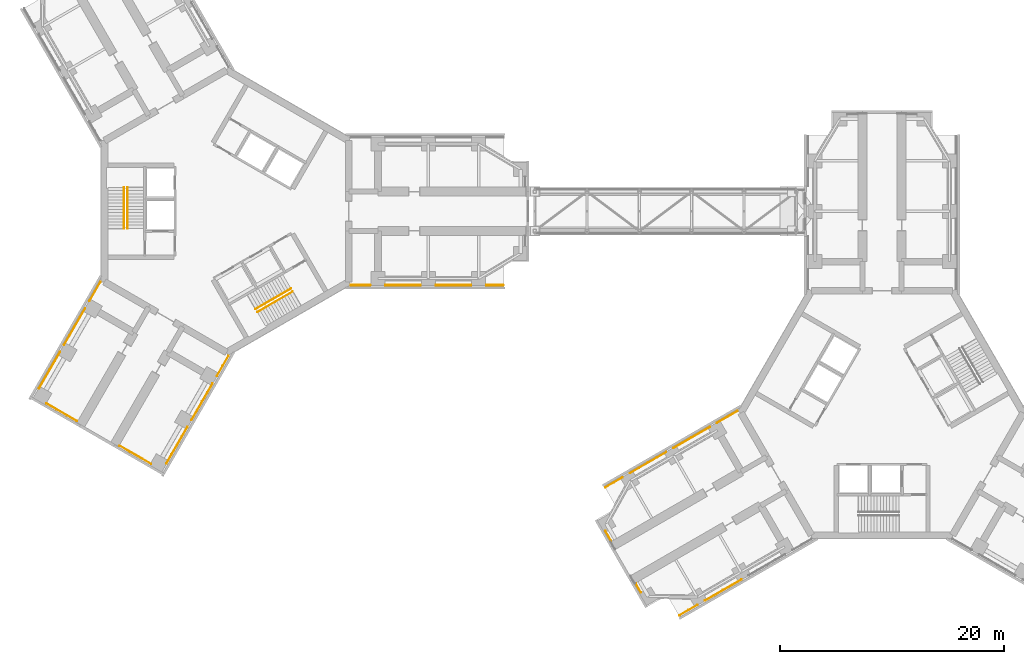
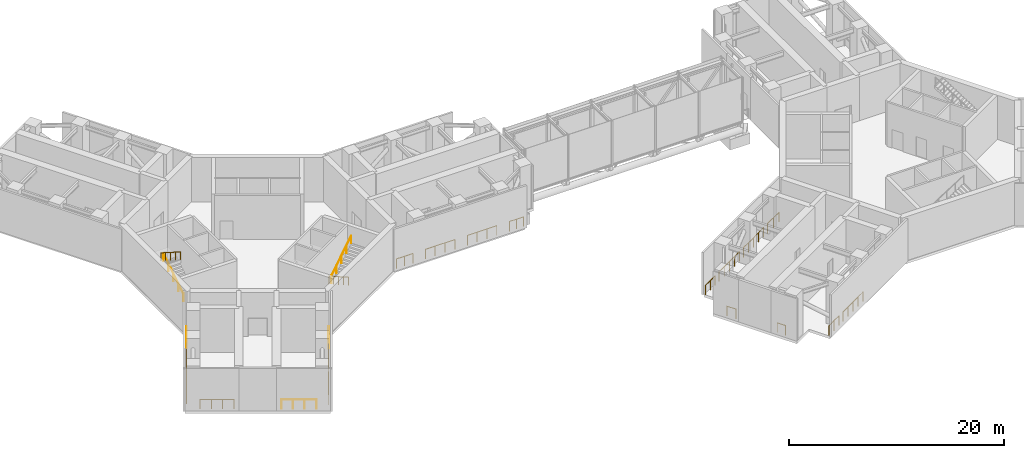
# One storey, part 13 of 15: 24 railings.
"""IFC4 building model written with IfcOpenShell, lengths in metres."""

from ifc_helpers import new_model, si_unit, direction, frame, origin, origin_2d, place, context, subcontext, project, spatial, circle, extrude, material, type_object, element, save


model = new_model("IFC4")

# Units and contexts
model_context = context("Model", 3, precision=1e-05, world=origin(), true_north=direction((0.0, 1.0)))
body_context = subcontext(model_context, "Body", "Model", "MODEL_VIEW")
ifc_project = project(units=[si_unit("LENGTHUNIT", "METRE"), si_unit("AREAUNIT", "SQUARE_METRE"), si_unit("VOLUMEUNIT", "CUBIC_METRE"), si_unit("PLANEANGLEUNIT", "RADIAN"), si_unit("MASSUNIT", "GRAM", prefix="KILO")], contexts=[model_context])

# Site, building, storey
site_placement = place(None, origin())
site = spatial("IfcSite", under=ifc_project, at=site_placement, CompositionType="ELEMENT")
building_placement = place(site_placement, origin())
building = spatial("IfcBuilding", under=site, at=building_placement, Name="Upepo Twin Towers", CompositionType="ELEMENT")
storey_placement = place(building_placement, frame((0.0, 0.0, 165.5)))
storey = spatial("IfcBuildingStorey", under=building, at=storey_placement, Name="L40", CompositionType="ELEMENT", Elevation=165.5)

# Railings
ifc_material_1 = material(Name="Stainless steel and glass", Category="steel")
railing_type_1 = type_object("IfcRailingType", Name="Guard 1100", PredefinedType="GUARDRAIL", material=ifc_material_1)
railing_1_placement = place(storey_placement, frame((12.824951171875, -6.60009765625, 0.0)))
element("IfcRailing", 1, at=railing_1_placement, inside=storey, type_object=railing_type_1, Name="T1 L40 open floor guard", PredefinedType="GUARDRAIL", context=body_context, shape_type="SweptSolid", body=[
    extrude(circle(Radius=0.02392578125, at=origin_2d()), frame((0.0, 0.0, 1.076171875), z_axis=(-1.0, 0.0, 0.0), x_axis=(0.0, -1.0, 0.0)), (0.0, 0.0, 1.0), 1.73974609375),
    extrude(circle(Radius=0.02099609375, at=origin_2d()), origin(), (0.0, 0.0, 1.0), 1.052001953125),
    extrude(circle(Radius=0.02099609375, at=origin_2d()), frame((-0.869873046875, 0.0, 0.0)), (0.0, 0.0, 1.0), 1.052001953125),
    extrude(circle(Radius=0.02099609375, at=origin_2d()), frame((-1.73974609375, 0.0, 0.0)), (0.0, 0.0, 1.0), 1.052001953125),
])
for number, where, name in (
    (2, (17.324951171875, -6.60009765625, 0.0), "T1 L40 open floor guard"),
    (3, (21.824951171875, -6.60009765625, 0.0), "T1 L40 open floor guard"),
):
    element("IfcRailing", number, at=place(storey_placement, frame(where)), inside=storey, type_object=railing_type_1, Name=name, PredefinedType="GUARDRAIL", context=body_context, shape_type="SweptSolid", body=[
        extrude(circle(Radius=0.02392578125, at=origin_2d()), frame((0.0, 0.0, 1.076171875), z_axis=(-1.0, 0.0, 0.0), x_axis=(0.0, -1.0, 0.0)), (0.0, 0.0, 1.0), 3.14990234375),
        extrude(circle(Radius=0.02099609375, at=origin_2d()), origin(), (0.0, 0.0, 1.0), 1.052001953125),
        extrude(circle(Radius=0.02099609375, at=origin_2d()), frame((-1.050048828125, 0.0, 0.0)), (0.0, 0.0, 1.0), 1.052001953125),
        extrude(circle(Radius=0.02099609375, at=origin_2d()), frame((-2.099853515625, 0.0, 0.0)), (0.0, 0.0, 1.0), 1.052001953125),
        extrude(circle(Radius=0.02099609375, at=origin_2d()), frame((-3.14990234375, 0.0, 0.0)), (0.0, 0.0, 1.0), 1.052001953125),
    ])
railing_2_placement = place(storey_placement, frame((24.699951171875, -6.60009765625, 0.0)))
element("IfcRailing", 4, at=railing_2_placement, inside=storey, type_object=railing_type_1, Name="T1 L40 open floor guard", PredefinedType="GUARDRAIL", context=body_context, shape_type="SweptSolid", body=[
    extrude(circle(Radius=0.02392578125, at=origin_2d()), frame((0.0, 0.0, 1.076171875), z_axis=(-1.0, 0.0, 0.0), x_axis=(0.0, -1.0, 0.0)), (0.0, 0.0, 1.0), 1.52490234375),
    extrude(circle(Radius=0.02099609375, at=origin_2d()), origin(), (0.0, 0.0, 1.0), 1.052001953125),
    extrude(circle(Radius=0.02099609375, at=origin_2d()), frame((-0.762451171875, 0.0, 0.0)), (0.0, 0.0, 1.0), 1.052001953125),
    extrude(circle(Radius=0.02099609375, at=origin_2d()), frame((-1.52490234375, 0.0, 0.0)), (0.0, 0.0, 1.0), 1.052001953125),
])
for number, where, name in (
    (5, (-3.500732421875, -19.263427734375, 0.0), "T1 L40 open floor guard"),
    (6, (-1.250732421875, -15.366455078125, 0.0), "T1 L40 open floor guard"),
):
    element("IfcRailing", number, at=place(storey_placement, frame(where)), inside=storey, type_object=railing_type_1, Name=name, PredefinedType="GUARDRAIL", context=body_context, shape_type="SweptSolid", body=[
        extrude(circle(Radius=0.02392578125, at=origin_2d()), frame((0.0, 0.0, 1.076171875), z_axis=(-0.500018768297, -0.866014567632, 0.0), x_axis=(0.866014567632, -0.500018768297, 0.0)), (0.0, 0.0, 1.0), 3.756103515625),
        extrude(circle(Radius=0.02099609375, at=origin_2d()), origin(), (0.0, 0.0, 1.0), 1.052001953125),
        extrude(circle(Radius=0.02099609375, at=origin_2d()), frame((-0.469482421875, -0.813232421875, 0.0)), (0.0, 0.0, 1.0), 1.052001953125),
        extrude(circle(Radius=0.02099609375, at=origin_2d()), frame((-0.93896484375, -1.62646484375, 0.0)), (0.0, 0.0, 1.0), 1.052001953125),
        extrude(circle(Radius=0.02099609375, at=origin_2d()), frame((-1.40869140625, -2.439697265625, 0.0)), (0.0, 0.0, 1.0), 1.052001953125),
        extrude(circle(Radius=0.02099609375, at=origin_2d()), frame((-1.878173828125, -3.2529296875, 0.0)), (0.0, 0.0, 1.0), 1.052001953125),
    ])
railing_3_placement = place(storey_placement, frame((0.173095703125, -12.89990234375, 0.0)))
element("IfcRailing", 7, at=railing_3_placement, inside=storey, type_object=railing_type_1, Name="T1 L40 open floor guard", PredefinedType="GUARDRAIL", context=body_context, shape_type="SweptSolid", body=[
    extrude(circle(Radius=0.02392578125, at=origin_2d()), frame((0.0, 0.0, 1.076171875), z_axis=(-0.49997020258, -0.86604260665, 0.0), x_axis=(0.86604260665, -0.49997020258, 0.0)), (0.0, 0.0, 1.0), 2.104248046875),
    extrude(circle(Radius=0.02099609375, at=origin_2d()), origin(), (0.0, 0.0, 1.0), 1.052001953125),
    extrude(circle(Radius=0.02099609375, at=origin_2d()), frame((-0.52587890625, -0.9111328125, 0.0)), (0.0, 0.0, 1.0), 1.052001953125),
    extrude(circle(Radius=0.02099609375, at=origin_2d()), frame((-1.052001953125, -1.822265625, 0.0)), (0.0, 0.0, 1.0), 1.052001953125),
])
railing_4_placement = place(storey_placement, frame((-16.749267578125, -15.810546875, 0.0)))
element("IfcRailing", 8, at=railing_4_placement, inside=storey, type_object=railing_type_1, Name="T1 L40 open floor guard", PredefinedType="GUARDRAIL", context=body_context, shape_type="SweptSolid", body=[
    extrude(circle(Radius=0.02392578125, at=origin_2d()), frame((0.0, 0.0, 1.076171875), z_axis=(0.500018768297, 0.866014567632, 0.0), x_axis=(-0.866014567632, 0.500018768297, 0.0)), (0.0, 0.0, 1.0), 3.756103515625),
    extrude(circle(Radius=0.02099609375, at=origin_2d()), origin(), (0.0, 0.0, 1.0), 1.052001953125),
    extrude(circle(Radius=0.02099609375, at=origin_2d()), frame((0.469482421875, 0.813232421875, 0.0)), (0.0, 0.0, 1.0), 1.052001953125),
    extrude(circle(Radius=0.02099609375, at=origin_2d()), frame((0.93896484375, 1.62646484375, 0.0)), (0.0, 0.0, 1.0), 1.052001953125),
    extrude(circle(Radius=0.02099609375, at=origin_2d()), frame((1.40869140625, 2.439697265625, 0.0)), (0.0, 0.0, 1.0), 1.052001953125),
    extrude(circle(Radius=0.02099609375, at=origin_2d()), frame((1.878173828125, 3.2529296875, 0.0)), (0.0, 0.0, 1.0), 1.052001953125),
])
railing_5_placement = place(storey_placement, frame((-14.499267578125, -11.91357421875, 0.0)))
element("IfcRailing", 9, at=railing_5_placement, inside=storey, type_object=railing_type_1, Name="T1 L40 open floor guard", PredefinedType="GUARDRAIL", context=body_context, shape_type="SweptSolid", body=[
    extrude(circle(Radius=0.02392578125, at=origin_2d()), frame((0.0, 0.0, 1.076171875), z_axis=(0.499990624564, 0.866030816627, 0.0), x_axis=(-0.866030816627, 0.499990624564, 0.0)), (0.0, 0.0, 1.0), 3.75634765625),
    extrude(circle(Radius=0.02099609375, at=origin_2d()), origin(), (0.0, 0.0, 1.0), 1.052001953125),
    extrude(circle(Radius=0.02099609375, at=origin_2d()), frame((0.469482421875, 0.813232421875, 0.0)), (0.0, 0.0, 1.0), 1.052001953125),
    extrude(circle(Radius=0.02099609375, at=origin_2d()), frame((0.93896484375, 1.62646484375, 0.0)), (0.0, 0.0, 1.0), 1.052001953125),
    extrude(circle(Radius=0.02099609375, at=origin_2d()), frame((1.40869140625, 2.43994140625, 0.0)), (0.0, 0.0, 1.0), 1.052001953125),
    extrude(circle(Radius=0.02099609375, at=origin_2d()), frame((1.878173828125, 3.253173828125, 0.0)), (0.0, 0.0, 1.0), 1.052001953125),
])
railing_6_placement = place(storey_placement, frame((-12.249267578125, -8.016357421875, 0.0)))
element("IfcRailing", 10, at=railing_6_placement, inside=storey, type_object=railing_type_1, Name="T1 L40 open floor guard", PredefinedType="GUARDRAIL", context=body_context, shape_type="SweptSolid", body=[
    extrude(circle(Radius=0.02392578125, at=origin_2d()), frame((0.0, 0.0, 1.076171875), z_axis=(0.500021028785, 0.866013262469, 0.0), x_axis=(-0.866013262469, 0.500021028785, 0.0)), (0.0, 0.0, 1.0), 1.98193359375),
    extrude(circle(Radius=0.02099609375, at=origin_2d()), origin(), (0.0, 0.0, 1.0), 1.052001953125),
    extrude(circle(Radius=0.02099609375, at=origin_2d()), frame((0.49560546875, 0.858154296875, 0.0)), (0.0, 0.0, 1.0), 1.052001953125),
    extrude(circle(Radius=0.02099609375, at=origin_2d()), frame((0.990966796875, 1.71630859375, 0.0)), (0.0, 0.0, 1.0), 1.052001953125),
])
railing_7_placement = place(storey_placement, frame((-16.076904296875, -17.16064453125, 0.0)))
element("IfcRailing", 11, at=railing_7_placement, inside=storey, type_object=railing_type_1, Name="T1 L40 open floor guard", PredefinedType="GUARDRAIL", context=body_context, shape_type="SweptSolid", body=[
    extrude(circle(Radius=0.02392578125, at=origin_2d()), frame((0.0, 0.0, 1.076171875), z_axis=(0.866035522163, -0.499982474044, 0.0), x_axis=(0.499982474044, 0.866035522163, 0.0)), (0.0, 0.0, 1.0), 3.142578125),
    extrude(circle(Radius=0.02099609375, at=origin_2d()), origin(), (0.0, 0.0, 1.0), 1.052001953125),
    extrude(circle(Radius=0.02099609375, at=origin_2d()), frame((0.9072265625, -0.523681640625, 0.0)), (0.0, 0.0, 1.0), 1.052001953125),
    extrude(circle(Radius=0.02099609375, at=origin_2d()), frame((1.814453125, -1.047607421875, 0.0)), (0.0, 0.0, 1.0), 1.052001953125),
    extrude(circle(Radius=0.02099609375, at=origin_2d()), frame((2.7216796875, -1.5712890625, 0.0)), (0.0, 0.0, 1.0), 1.052001953125),
])
railing_8_placement = place(storey_placement, frame((-9.544677734375, -20.931884765625, 0.0)))
element("IfcRailing", 12, at=railing_8_placement, inside=storey, type_object=railing_type_1, Name="T1 L40 open floor guard", PredefinedType="GUARDRAIL", context=body_context, shape_type="SweptSolid", body=[
    extrude(circle(Radius=0.02392578125, at=origin_2d()), frame((0.0, 0.0, 1.076171875), z_axis=(0.865998027924, -0.500047413384, 0.0), x_axis=(0.500047413384, 0.865998027924, 0.0)), (0.0, 0.0, 1.0), 3.251708984375),
    extrude(circle(Radius=0.02099609375, at=origin_2d()), origin(), (0.0, 0.0, 1.0), 1.052001953125),
    extrude(circle(Radius=0.02099609375, at=origin_2d()), frame((0.938720703125, -0.5419921875, 0.0)), (0.0, 0.0, 1.0), 1.052001953125),
    extrude(circle(Radius=0.02099609375, at=origin_2d()), frame((1.877197265625, -1.083984375, 0.0)), (0.0, 0.0, 1.0), 1.052001953125),
    extrude(circle(Radius=0.02099609375, at=origin_2d()), frame((2.81591796875, -1.6259765625, 0.0)), (0.0, 0.0, 1.0), 1.052001953125),
])
railing_9_placement = place(storey_placement, frame((42.04541015625, -35.12109375, 0.0)))
element("IfcRailing", 13, at=railing_9_placement, inside=storey, type_object=railing_type_1, Name="T2 L40 open floor guard", PredefinedType="GUARDRAIL", context=body_context, shape_type="SweptSolid", body=[
    extrude(circle(Radius=0.02392578125, at=origin_2d()), frame((0.0, 0.0, 1.076171875), z_axis=(-0.866047869032, -0.499961087031, 0.0), x_axis=(0.499961087031, -0.866047869032, 0.0)), (0.0, 0.0, 1.0), 1.889404296875),
    extrude(circle(Radius=0.02099609375, at=origin_2d()), origin(), (0.0, 0.0, 1.0), 1.052001953125),
    extrude(circle(Radius=0.02099609375, at=origin_2d()), frame((-0.818115234375, -0.47216796875, 0.0)), (0.0, 0.0, 1.0), 1.052001953125),
    extrude(circle(Radius=0.02099609375, at=origin_2d()), frame((-1.63623046875, -0.944580078125, 0.0)), (0.0, 0.0, 1.0), 1.052001953125),
])
railing_10_placement = place(storey_placement, frame((45.9423828125, -32.87109375, 0.0)))
element("IfcRailing", 14, at=railing_10_placement, inside=storey, type_object=railing_type_1, Name="T2 L40 open floor guard", PredefinedType="GUARDRAIL", context=body_context, shape_type="SweptSolid", body=[
    extrude(circle(Radius=0.02392578125, at=origin_2d()), frame((0.0, 0.0, 1.076171875), z_axis=(-0.866014567632, -0.500018768297, 0.0), x_axis=(0.500018768297, -0.866014567632, 0.0)), (0.0, 0.0, 1.0), 3.756103515625),
    extrude(circle(Radius=0.02099609375, at=origin_2d()), origin(), (0.0, 0.0, 1.0), 1.052001953125),
    extrude(circle(Radius=0.02099609375, at=origin_2d()), frame((-0.813232421875, -0.469482421875, 0.0)), (0.0, 0.0, 1.0), 1.052001953125),
    extrude(circle(Radius=0.02099609375, at=origin_2d()), frame((-1.62646484375, -0.93896484375, 0.0)), (0.0, 0.0, 1.0), 1.052001953125),
    extrude(circle(Radius=0.02099609375, at=origin_2d()), frame((-2.439697265625, -1.40869140625, 0.0)), (0.0, 0.0, 1.0), 1.052001953125),
    extrude(circle(Radius=0.02099609375, at=origin_2d()), frame((-3.2529296875, -1.878173828125, 0.0)), (0.0, 0.0, 1.0), 1.052001953125),
])
railing_11_placement = place(storey_placement, frame((33.80908203125, -24.63427734375, 0.0)))
element("IfcRailing", 15, at=railing_11_placement, inside=storey, type_object=railing_type_1, Name="T2 L40 open floor guard", PredefinedType="GUARDRAIL", context=body_context, shape_type="SweptSolid", body=[
    extrude(circle(Radius=0.02392578125, at=origin_2d()), frame((0.0, 0.0, 1.076171875), z_axis=(0.866015321998, 0.50001746176, 0.0), x_axis=(-0.50001746176, 0.866015321998, 0.0)), (0.0, 0.0, 1.0), 1.76708984375),
    extrude(circle(Radius=0.02099609375, at=origin_2d()), origin(), (0.0, 0.0, 1.0), 1.052001953125),
    extrude(circle(Radius=0.02099609375, at=origin_2d()), frame((0.76513671875, 0.44189453125, 0.0)), (0.0, 0.0, 1.0), 1.052001953125),
    extrude(circle(Radius=0.02099609375, at=origin_2d()), frame((1.5302734375, 0.883544921875, 0.0)), (0.0, 0.0, 1.0), 1.052001953125),
])
for number, where, name in (
    (16, (35.983642578125, -23.37890625, 0.0), "T2 L40 open floor guard"),
    (17, (39.880615234375, -21.12890625, 0.0), "T2 L40 open floor guard"),
):
    element("IfcRailing", number, at=place(storey_placement, frame(where)), inside=storey, type_object=railing_type_1, Name=name, PredefinedType="GUARDRAIL", context=body_context, shape_type="SweptSolid", body=[
        extrude(circle(Radius=0.02392578125, at=origin_2d()), frame((0.0, 0.0, 1.076171875), z_axis=(0.866014567632, 0.500018768297, 0.0), x_axis=(-0.500018768297, 0.866014567632, 0.0)), (0.0, 0.0, 1.0), 3.756103515625),
        extrude(circle(Radius=0.02099609375, at=origin_2d()), origin(), (0.0, 0.0, 1.0), 1.052001953125),
        extrude(circle(Radius=0.02099609375, at=origin_2d()), frame((0.813232421875, 0.469482421875, 0.0)), (0.0, 0.0, 1.0), 1.052001953125),
        extrude(circle(Radius=0.02099609375, at=origin_2d()), frame((1.62646484375, 0.93896484375, 0.0)), (0.0, 0.0, 1.0), 1.052001953125),
        extrude(circle(Radius=0.02099609375, at=origin_2d()), frame((2.439697265625, 1.40869140625, 0.0)), (0.0, 0.0, 1.0), 1.052001953125),
        extrude(circle(Radius=0.02099609375, at=origin_2d()), frame((3.2529296875, 1.878173828125, 0.0)), (0.0, 0.0, 1.0), 1.052001953125),
    ])
railing_12_placement = place(storey_placement, frame((43.77783203125, -18.87890625, 0.0)))
element("IfcRailing", 18, at=railing_12_placement, inside=storey, type_object=railing_type_1, Name="T2 L40 open floor guard", PredefinedType="GUARDRAIL", context=body_context, shape_type="SweptSolid", body=[
    extrude(circle(Radius=0.02392578125, at=origin_2d()), frame((0.0, 0.0, 1.076171875), z_axis=(0.86604260665, 0.49997020258, 0.0), x_axis=(-0.49997020258, 0.86604260665, 0.0)), (0.0, 0.0, 1.0), 2.104248046875),
    extrude(circle(Radius=0.02099609375, at=origin_2d()), origin(), (0.0, 0.0, 1.0), 1.052001953125),
    extrude(circle(Radius=0.02099609375, at=origin_2d()), frame((0.9111328125, 0.52587890625, 0.0)), (0.0, 0.0, 1.0), 1.052001953125),
    extrude(circle(Radius=0.02099609375, at=origin_2d()), frame((1.822265625, 1.052001953125, 0.0)), (0.0, 0.0, 1.0), 1.052001953125),
])
railing_13_placement = place(storey_placement, frame((33.819580078125, -28.552490234375, 0.0)))
element("IfcRailing", 19, at=railing_13_placement, inside=storey, type_object=railing_type_1, Name="T2 L40 open floor guard", PredefinedType="GUARDRAIL", context=body_context, shape_type="SweptSolid", body=[
    extrude(circle(Radius=0.02392578125, at=origin_2d()), frame((0.0, 0.0, 1.076171875), z_axis=(0.500046050067, -0.865998815133, 0.0), x_axis=(0.865998815133, 0.500046050067, 0.0)), (0.0, 0.0, 1.0), 1.00146484375),
    extrude(circle(Radius=0.02099609375, at=origin_2d()), origin(), (0.0, 0.0, 1.0), 1.052001953125),
    extrude(circle(Radius=0.02099609375, at=origin_2d()), frame((0.500732421875, -0.8671875, 0.0)), (0.0, 0.0, 1.0), 1.052001953125),
])
railing_14_placement = place(storey_placement, frame((36.5205078125, -33.230224609375, 0.0)))
element("IfcRailing", 20, at=railing_14_placement, inside=storey, type_object=railing_type_1, Name="T2 L40 open floor guard", PredefinedType="GUARDRAIL", context=body_context, shape_type="SweptSolid", body=[
    extrude(circle(Radius=0.02392578125, at=origin_2d()), frame((0.0, 0.0, 1.076171875), z_axis=(0.499903946755, -0.866080853049, 0.0), x_axis=(0.866080853049, 0.499903946755, 0.0)), (0.0, 0.0, 1.0), 0.892822265625),
    extrude(circle(Radius=0.02099609375, at=origin_2d()), origin(), (0.0, 0.0, 1.0), 1.052001953125),
    extrude(circle(Radius=0.02099609375, at=origin_2d()), frame((0.4462890625, -0.773193359375, 0.0)), (0.0, 0.0, 1.0), 1.052001953125),
])
ifc_material_2 = material(Name="Stainless steel", Category="steel")
railing_type_2 = type_object("IfcRailingType", Name="Stair handrail 900", PredefinedType="HANDRAIL", material=ifc_material_2)
railing_15_placement = place(storey_placement, frame((-8.85009765625, -1.52001953125, 0.178466796875)))
element("IfcRailing", 21, at=railing_15_placement, inside=storey, type_object=railing_type_2, Name="T1 stair S1 L40 handrail 1", PredefinedType="HANDRAIL", context=body_context, shape_type="SweptSolid", body=[
    extrude(circle(Radius=0.02392578125, at=origin_2d()), frame((0.0, 0.0, 0.8759765625), z_axis=(0.0, 0.843127859045, 0.537713132908), x_axis=(-1.0, 0.0, 0.0)), (0.0, 0.0, 1.0), 4.3173828125),
    extrude(circle(Radius=0.02099609375, at=origin_2d()), origin(), (0.0, 0.0, 1.0), 0.851806640625),
    extrude(circle(Radius=0.02099609375, at=origin_2d()), frame((0.0, 0.91015625, 0.580322265625)), (0.0, 0.0, 1.0), 0.851806640625),
    extrude(circle(Radius=0.02099609375, at=origin_2d()), frame((0.0, 1.820068359375, 1.16064453125)), (0.0, 0.0, 1.0), 0.851806640625),
    extrude(circle(Radius=0.02099609375, at=origin_2d()), frame((0.0, 2.72998046875, 1.7412109375)), (0.0, 0.0, 1.0), 0.851806640625),
    extrude(circle(Radius=0.02099609375, at=origin_2d()), frame((0.0, 3.64013671875, 2.321533203125)), (0.0, 0.0, 1.0), 0.851806640625),
])
railing_16_placement = place(storey_placement, frame((-9.158447265625, 2.1201171875, 2.678466796875)))
element("IfcRailing", 22, at=railing_16_placement, inside=storey, type_object=railing_type_2, Name="T1 stair S1 L40 handrail 2", PredefinedType="HANDRAIL", context=body_context, shape_type="SweptSolid", body=[
    extrude(circle(Radius=0.02392578125, at=origin_2d()), frame((0.0, 0.0, 0.8759765625), z_axis=(0.0, -0.843127859045, 0.537713132908), x_axis=(1.0, 0.0, 0.0)), (0.0, 0.0, 1.0), 4.3173828125),
    extrude(circle(Radius=0.02099609375, at=origin_2d()), origin(), (0.0, 0.0, 1.0), 0.851806640625),
    extrude(circle(Radius=0.02099609375, at=origin_2d()), frame((0.0, -0.91015625, 0.580322265625)), (0.0, 0.0, 1.0), 0.851806640625),
    extrude(circle(Radius=0.02099609375, at=origin_2d()), frame((0.0, -1.820068359375, 1.16064453125)), (0.0, 0.0, 1.0), 0.851806640625),
    extrude(circle(Radius=0.02099609375, at=origin_2d()), frame((0.0, -2.72998046875, 1.7412109375)), (0.0, 0.0, 1.0), 0.851806640625),
    extrude(circle(Radius=0.02099609375, at=origin_2d()), frame((0.0, -3.64013671875, 2.321533203125)), (0.0, 0.0, 1.0), 0.851806640625),
])
railing_17_placement = place(storey_placement, frame((5.741455078125, -6.904296875, 0.178466796875)))
element("IfcRailing", 23, at=railing_17_placement, inside=storey, type_object=railing_type_2, Name="T1 stair S2 L40 handrail 1", PredefinedType="HANDRAIL", context=body_context, shape_type="SweptSolid", body=[
    extrude(circle(Radius=0.02392578125, at=origin_2d()), frame((0.0, 0.0, 0.8759765625), z_axis=(-0.730158560966, -0.421571566915, 0.537722874553), x_axis=(0.500012742938, -0.866018046521, 0.0)), (0.0, 0.0, 1.0), 4.3173828125),
    extrude(circle(Radius=0.02099609375, at=origin_2d()), origin(), (0.0, 0.0, 1.0), 0.851806640625),
    extrude(circle(Radius=0.02099609375, at=origin_2d()), frame((-0.7880859375, -0.455078125, 0.580322265625)), (0.0, 0.0, 1.0), 0.851806640625),
    extrude(circle(Radius=0.02099609375, at=origin_2d()), frame((-1.576171875, -0.91015625, 1.16064453125)), (0.0, 0.0, 1.0), 0.851806640625),
    extrude(circle(Radius=0.02099609375, at=origin_2d()), frame((-2.3642578125, -1.364990234375, 1.7412109375)), (0.0, 0.0, 1.0), 0.851806640625),
    extrude(circle(Radius=0.02099609375, at=origin_2d()), frame((-3.15234375, -1.820068359375, 2.321533203125)), (0.0, 0.0, 1.0), 0.851806640625),
])
railing_18_placement = place(storey_placement, frame((2.7431640625, -8.991455078125, 2.678466796875)))
element("IfcRailing", 24, at=railing_18_placement, inside=storey, type_object=railing_type_2, Name="T1 stair S2 L40 handrail 2", PredefinedType="HANDRAIL", context=body_context, shape_type="SweptSolid", body=[
    extrude(circle(Radius=0.02392578125, at=origin_2d()), frame((0.0, 0.0, 0.8759765625), z_axis=(0.730158560966, 0.421571566915, 0.537722874553), x_axis=(-0.500012742938, 0.866018046521, 0.0)), (0.0, 0.0, 1.0), 4.3173828125),
    extrude(circle(Radius=0.02099609375, at=origin_2d()), origin(), (0.0, 0.0, 1.0), 0.851806640625),
    extrude(circle(Radius=0.02099609375, at=origin_2d()), frame((0.7880859375, 0.455078125, 0.580322265625)), (0.0, 0.0, 1.0), 0.851806640625),
    extrude(circle(Radius=0.02099609375, at=origin_2d()), frame((1.576171875, 0.91015625, 1.16064453125)), (0.0, 0.0, 1.0), 0.851806640625),
    extrude(circle(Radius=0.02099609375, at=origin_2d()), frame((2.3642578125, 1.364990234375, 1.7412109375)), (0.0, 0.0, 1.0), 0.851806640625),
    extrude(circle(Radius=0.02099609375, at=origin_2d()), frame((3.15234375, 1.820068359375, 2.321533203125)), (0.0, 0.0, 1.0), 0.851806640625),
])

save(model, "model.ifc")
